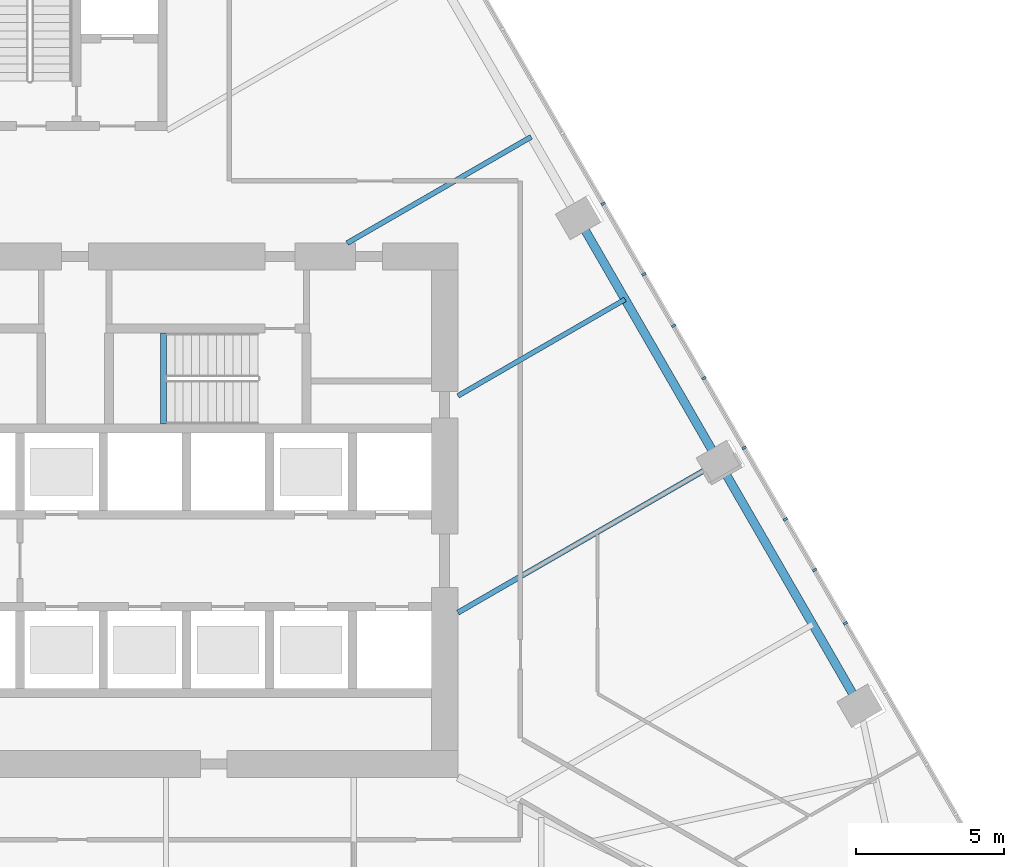
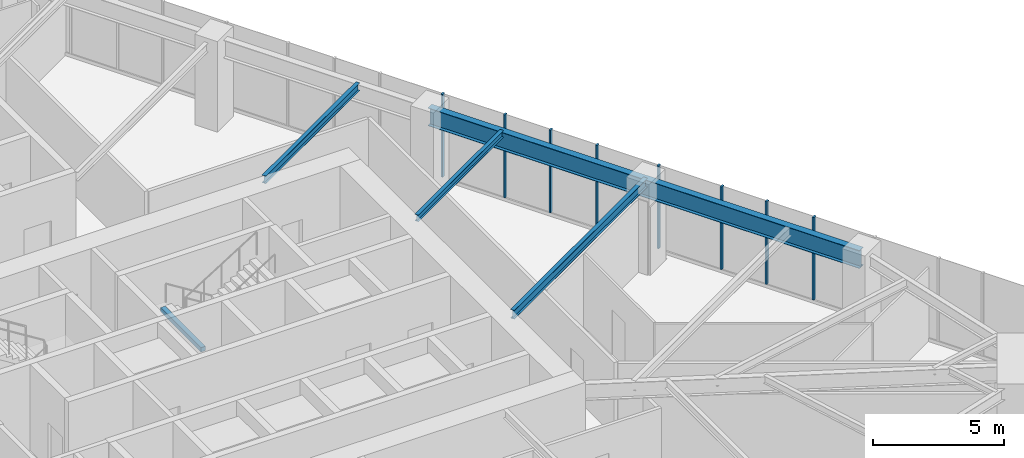
# One storey, part 8 of 21: 8 members, 5 beams, 1 element without a shape of its own.
"""IFC4 building model written with IfcOpenShell, lengths in metres."""

from ifc_helpers import new_model, si_unit, direction, frame, origin, origin_2d, place, context, subcontext, project, spatial, rectangle, i_section, extrude, material, layer, layer_set, material_profile, profile_set, type_object, element, aggregate, save


model = new_model("IFC4")

# Units and contexts
model_context = context("Model", 3, precision=1e-05, world=origin(), true_north=direction((0.0, 1.0)))
body_context = subcontext(model_context, "Body", "Model", "MODEL_VIEW")
ifc_project = project(units=[si_unit("LENGTHUNIT", "METRE"), si_unit("AREAUNIT", "SQUARE_METRE"), si_unit("VOLUMEUNIT", "CUBIC_METRE"), si_unit("PLANEANGLEUNIT", "RADIAN"), si_unit("MASSUNIT", "GRAM", prefix="KILO")], contexts=[model_context])

# Site, building, storey
site_placement = place(None, origin())
site = spatial("IfcSite", under=ifc_project, at=site_placement, CompositionType="ELEMENT")
building_placement = place(site_placement, origin())
building = spatial("IfcBuilding", under=site, at=building_placement, Name="Firuza Gate Tower and Library", CompositionType="ELEMENT")
storey_placement = place(building_placement, frame((0.0, 0.0, 69.39990234375)))
storey = spatial("IfcBuildingStorey", under=building, at=storey_placement, Name="L15", CompositionType="ELEMENT", Elevation=69.39990234375)

# Curtain wall, members
ifc_material_1 = material(Name="Aluminium 6063-T6", Category="aluminium")
ifc_layer = layer(ifc_material_1, 0.14990234375)
ifc_layer_set = layer_set([ifc_layer], Name="Unitised curtain wall, offices")
curtain_wall_type = type_object("IfcCurtainWallType", Name="Unitised curtain wall, offices", PredefinedType="NOTDEFINED", material=ifc_layer_set)
curtain_wall_placement = place(storey_placement, origin())
curtain_wall = element("IfcCurtainWall", 1, at=curtain_wall_placement, inside=storey, type_object=curtain_wall_type, Name="CW1 L15 E face", PredefinedType="NOTDEFINED")
ifc_material_2 = material(Name="Aluminium 6063-T6", Category="aluminium")
ifc_material_profile_1 = material_profile(ifc_material_2, rectangle(XDim=0.14990234375, YDim=0.080078125, at=origin_2d()))
ifc_profile_set_1 = profile_set([ifc_material_profile_1], Name="Aluminium 6063-T6")
member_type = type_object("IfcMemberType", Name="Curtain wall mullion 80x150", PredefinedType="MULLION", material=ifc_profile_set_1)
member_1_placement = place(storey_placement, frame((100.017822265625, 72.989990234375, 0.150146484375), z_axis=(0.0, 0.0, 1.0), x_axis=(-0.866025403784, -0.5, 0.0)))
member_1 = element("IfcMember", 2, at=member_1_placement, type_object=member_type, Name="Mullion", PredefinedType="MULLION", context=body_context, shape_type="SweptSolid", body=[
    extrude(rectangle(XDim=0.14990234375, YDim=0.080078125, at=origin_2d()), origin(), (0.0, 0.0, 1.0), 3.849853515625),
])
member_2_placement = place(storey_placement, frame((97.642822265625, 77.103515625, 0.150146484375), z_axis=(0.0, 0.0, 1.0), x_axis=(-0.866025403784, -0.5, 0.0)))
member_2 = element("IfcMember", 3, at=member_2_placement, type_object=member_type, Name="Mullion", PredefinedType="MULLION", context=body_context, shape_type="SweptSolid", body=[
    extrude(rectangle(XDim=0.14990234375, YDim=0.080078125, at=origin_2d()), origin(), (0.0, 0.0, 1.0), 3.849853515625),
])
member_3_placement = place(storey_placement, frame((95.267822265625, 81.217041015625, 0.150146484375), z_axis=(0.0, 0.0, 1.0), x_axis=(-0.866025403784, -0.5, 0.0)))
member_3 = element("IfcMember", 4, at=member_3_placement, type_object=member_type, Name="Mullion", PredefinedType="MULLION", context=body_context, shape_type="SweptSolid", body=[
    extrude(rectangle(XDim=0.14990234375, YDim=0.080078125, at=origin_2d()), origin(), (0.0, 0.0, 1.0), 3.849853515625),
])
member_4_placement = place(storey_placement, frame((92.892822265625, 85.33056640625, 0.150146484375), z_axis=(0.0, 0.0, 1.0), x_axis=(-0.866025403784, -0.5, 0.0)))
member_4 = element("IfcMember", 5, at=member_4_placement, type_object=member_type, Name="Mullion", PredefinedType="MULLION", context=body_context, shape_type="SweptSolid", body=[
    extrude(rectangle(XDim=0.14990234375, YDim=0.080078125, at=origin_2d()), origin(), (0.0, 0.0, 1.0), 3.849853515625),
])
member_5_placement = place(storey_placement, frame((101.054443359375, 71.1943359375, 0.150146484375), z_axis=(0.0, 0.0, 1.0), x_axis=(-0.866025403784, -0.5, 0.0)))
member_5 = element("IfcMember", 6, at=member_5_placement, type_object=member_type, Name="Mullion", PredefinedType="MULLION", context=body_context, shape_type="SweptSolid", body=[
    extrude(rectangle(XDim=0.14990234375, YDim=0.080078125, at=origin_2d()), origin(), (0.0, 0.0, 1.0), 3.849853515625),
])
member_6_placement = place(storey_placement, frame((99.033203125, 74.6953125, 0.150146484375), z_axis=(0.0, 0.0, 1.0), x_axis=(-0.866025403784, -0.5, 0.0)))
member_6 = element("IfcMember", 7, at=member_6_placement, type_object=member_type, Name="Mullion", PredefinedType="MULLION", context=body_context, shape_type="SweptSolid", body=[
    extrude(rectangle(XDim=0.14990234375, YDim=0.080078125, at=origin_2d()), origin(), (0.0, 0.0, 1.0), 3.849853515625),
])
member_7_placement = place(storey_placement, frame((96.287109375, 79.451416015625, 0.150146484375), z_axis=(0.0, 0.0, 1.0), x_axis=(-0.866025403784, -0.5, 0.0)))
member_7 = element("IfcMember", 8, at=member_7_placement, type_object=member_type, Name="Mullion", PredefinedType="MULLION", context=body_context, shape_type="SweptSolid", body=[
    extrude(rectangle(XDim=0.14990234375, YDim=0.080078125, at=origin_2d()), origin(), (0.0, 0.0, 1.0), 3.849853515625),
])
member_8_placement = place(storey_placement, frame((94.265869140625, 82.952392578125, 0.150146484375), z_axis=(0.0, 0.0, 1.0), x_axis=(-0.866025403784, -0.5, 0.0)))
member_8 = element("IfcMember", 9, at=member_8_placement, type_object=member_type, Name="Mullion", PredefinedType="MULLION", context=body_context, shape_type="SweptSolid", body=[
    extrude(rectangle(XDim=0.14990234375, YDim=0.080078125, at=origin_2d()), origin(), (0.0, 0.0, 1.0), 3.849853515625),
])
aggregate(curtain_wall, [member_1, member_2, member_3, member_4, member_5, member_6, member_7, member_8])

# Beams
ifc_material_3 = material(Name="Concrete C35/45", Category="concrete")
ifc_material_profile_2 = material_profile(ifc_material_3, rectangle(XDim=0.199951171875, YDim=0.199951171875, at=origin_2d()))
ifc_profile_set_2 = profile_set([ifc_material_profile_2], Name="Concrete C35/45")
beam_type_1 = type_object("IfcBeamType", Name="Stair landing bearer 200x200", PredefinedType="BEAM", material=ifc_profile_set_2)
beam_1_placement = place(storey_placement, frame((78.080078125, 80.97998046875, 1.800048828125), z_axis=(0.0, -1.0, 0.0), x_axis=(1.0, 0.0, 0.0)))
element("IfcBeam", 10, at=beam_1_placement, inside=storey, type_object=beam_type_1, Name="Landing bearer L15 stair 2", PredefinedType="BEAM", context=body_context, shape_type="SweptSolid", body=[
    extrude(rectangle(XDim=0.199951171875, YDim=0.199951171875, at=origin_2d()), origin(), (0.0, 0.0, 1.0), 3.080078125),
])
ifc_material_4 = material(Name="Steel S355", Category="steel")
ifc_material_profile_3 = material_profile(ifc_material_4, i_section(OverallWidth=0.1650390625, OverallDepth=0.31005859375, WebThickness=0.005859375, FlangeThickness=0.009765625, at=origin_2d()))
ifc_profile_set_3 = profile_set([ifc_material_profile_3], Name="Steel S355")
beam_type_2 = type_object("IfcBeamType", Name="W310x39 Floor beam", PredefinedType="JOIST", material=ifc_profile_set_3)
beam_2_placement = place(storey_placement, frame((93.62939453125, 82.104736328125, 3.84521484375), z_axis=(-0.866034226713, -0.499984717929, 0.0), x_axis=(0.499984717929, -0.866034226713, 0.0)))
element("IfcBeam", 11, at=beam_2_placement, inside=storey, type_object=beam_type_2, Name="Floor beam L15 s52", PredefinedType="JOIST", context=body_context, shape_type="SweptSolid", body=[
    extrude(i_section(OverallWidth=0.1650390625, OverallDepth=0.31005859375, WebThickness=0.005859375, FlangeThickness=0.009765625, at=origin_2d()), origin(), (0.0, 0.0, 1.0), 6.500244140625),
])
ifc_material_5 = material(Name="Steel S355", Category="steel")
ifc_material_profile_4 = material_profile(ifc_material_5, i_section(OverallWidth=0.1708984375, OverallDepth=0.35498046875, WebThickness=0.007080078125, FlangeThickness=0.01171875, at=origin_2d()))
ifc_profile_set_4 = profile_set([ifc_material_profile_4], Name="Steel S355")
beam_type_3 = type_object("IfcBeamType", Name="W360x51 Floor beam", PredefinedType="JOIST", material=ifc_profile_set_4)
beam_3_placement = place(storey_placement, frame((90.467529296875, 87.5810546875, 3.822509765625), z_axis=(-0.866027779288, -0.499995885484, 0.0), x_axis=(0.499995885484, -0.866027779288, 0.0)))
element("IfcBeam", 12, at=beam_3_placement, inside=storey, type_object=beam_type_3, Name="Floor beam L15 s53", PredefinedType="JOIST", context=body_context, shape_type="SweptSolid", body=[
    extrude(i_section(OverallWidth=0.1708984375, OverallDepth=0.35498046875, WebThickness=0.007080078125, FlangeThickness=0.01171875, at=origin_2d()), origin(), (0.0, 0.0, 1.0), 7.162109375),
])
ifc_material_6 = material(Name="Steel S355", Category="steel")
ifc_material_profile_5 = material_profile(ifc_material_6, i_section(OverallWidth=0.177978515625, OverallDepth=0.406982421875, WebThickness=0.0078125, FlangeThickness=0.0126953125, at=origin_2d()))
ifc_profile_set_5 = profile_set([ifc_material_profile_5], Name="Steel S355")
beam_type_4 = type_object("IfcBeamType", Name="W410x60 Floor beam", PredefinedType="JOIST", material=ifc_profile_set_5)
beam_4_placement = place(storey_placement, frame((96.791259765625, 76.62841796875, 3.796630859375), z_axis=(-0.866033795846, -0.499985464241, 0.0), x_axis=(0.499985464241, -0.866033795846, 0.0)))
element("IfcBeam", 13, at=beam_4_placement, inside=storey, type_object=beam_type_4, Name="Floor beam L15 s51", PredefinedType="JOIST", context=body_context, shape_type="SweptSolid", body=[
    extrude(i_section(OverallWidth=0.177978515625, OverallDepth=0.406982421875, WebThickness=0.0078125, FlangeThickness=0.0126953125, at=origin_2d()), origin(), (0.0, 0.0, 1.0), 10.151123046875),
])
ifc_material_7 = material(Name="Steel S355", Category="steel")
ifc_material_profile_6 = material_profile(ifc_material_7, i_section(OverallWidth=0.2919921875, OverallDepth=0.8349609375, WebThickness=0.013916015625, FlangeThickness=0.018798828125, at=origin_2d()))
ifc_profile_set_6 = profile_set([ifc_material_profile_6], Name="Steel S355")
beam_type_5 = type_object("IfcBeamType", Name="W840x176 Edge beam", PredefinedType="SPANDREL", material=ifc_profile_set_6)
beam_5_placement = place(storey_placement, frame((101.533935546875, 68.4140625, 3.58251953125), z_axis=(-0.500003555199, 0.866023351179, 0.0), x_axis=(-0.866023351179, -0.500003555199, 0.0)))
element("IfcBeam", 14, at=beam_5_placement, inside=storey, type_object=beam_type_5, Name="Edge beam L15 e50", PredefinedType="SPANDREL", context=body_context, shape_type="SweptSolid", body=[
    extrude(i_section(OverallWidth=0.2919921875, OverallDepth=0.8349609375, WebThickness=0.013916015625, FlangeThickness=0.018798828125, at=origin_2d()), origin(), (0.0, 0.0, 1.0), 18.970458984375),
])

save(model, "model.ifc")
